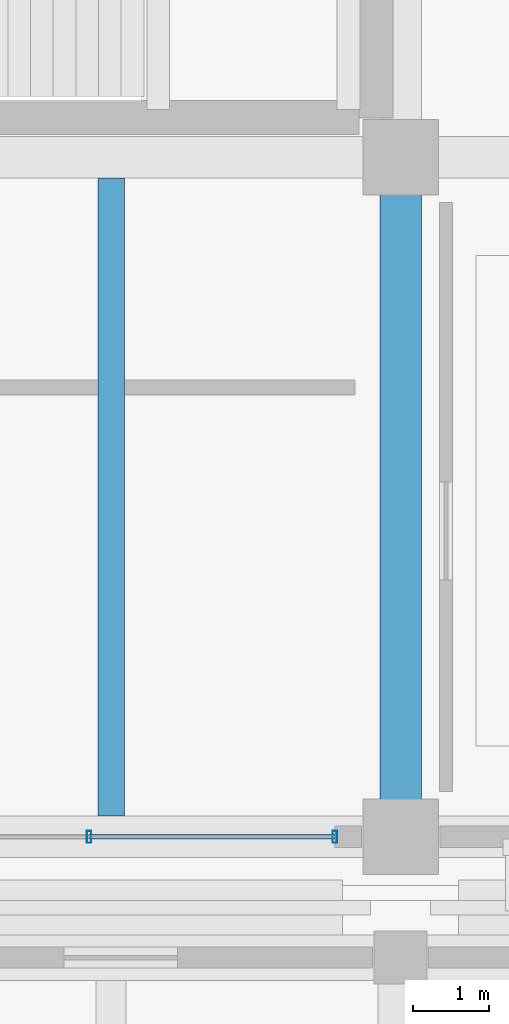
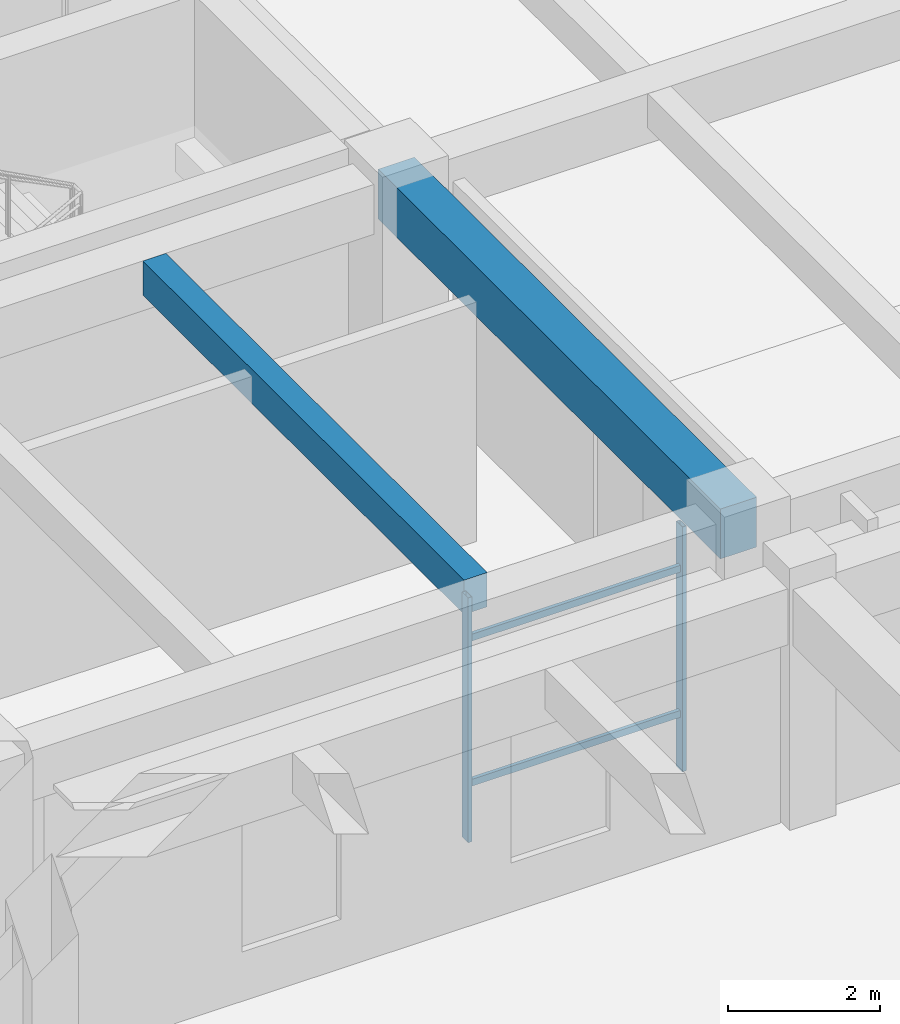
# One storey, part 57 of 98: 4 members, 2 beams, 1 element without a shape of its own.
"""IFC4 building model written with IfcOpenShell, lengths in metres."""

from ifc_helpers import new_model, si_unit, direction, frame, origin, origin_2d, place, context, subcontext, project, spatial, rectangle, hollow_rectangle, extrude, material, material_profile, profile_set, type_object, element, aggregate, save


model = new_model("IFC4")

# Units and contexts
model_context = context("Model", 3, precision=1e-05, world=origin(), true_north=direction((0.0, 1.0)))
body_context = subcontext(model_context, "Body", "Model", "MODEL_VIEW")
ifc_project = project(units=[si_unit("LENGTHUNIT", "METRE"), si_unit("AREAUNIT", "SQUARE_METRE"), si_unit("VOLUMEUNIT", "CUBIC_METRE"), si_unit("PLANEANGLEUNIT", "RADIAN"), si_unit("MASSUNIT", "GRAM", prefix="KILO")], contexts=[model_context])

# Site, building, storey
site_placement = place(None, origin())
site = spatial("IfcSite", under=ifc_project, at=site_placement, CompositionType="ELEMENT")
building_placement = place(site_placement, origin())
building = spatial("IfcBuilding", under=site, at=building_placement, Name="Ologun Quay Terminus", CompositionType="ELEMENT")
storey_placement = place(building_placement, frame((0.0, 0.0, 4.199951171875)))
storey = spatial("IfcBuildingStorey", under=building, at=storey_placement, Name="L01", CompositionType="ELEMENT", Elevation=4.199951171875)

# Curtain wall, members
ifc_material_1 = material(Name="Aluminium 6063-T6", Category="aluminium")
curtain_wall_type = type_object("IfcCurtainWallType", Name="Waterfront Pavilion Harbour Curtain Wall L01 10500x3850", PredefinedType="USERDEFINED", material=ifc_material_1)
curtain_wall_placement = place(storey_placement, origin())
curtain_wall = element("IfcCurtainWall", 1, at=curtain_wall_placement, inside=storey, type_object=curtain_wall_type, Name="CW-23 Curtain Wall CW-L01-125", ObjectType="UNITISED CURTAIN WALL", PredefinedType="USERDEFINED")
ifc_material_2 = material(Name="Aluminium 6063-T6", Category="aluminium")
ifc_material_profile_1 = material_profile(ifc_material_2, hollow_rectangle(XDim=0.06005859375, YDim=0.159912109375, WallThickness=0.00390625, at=origin_2d()), Name="ALU 160x60x4")
ifc_profile_set_1 = profile_set([ifc_material_profile_1], Name="Aluminium 6063-T6")
member_type_1 = type_object("IfcMemberType", Name="Courtyard Screen Mullion 160x65", PredefinedType="MULLION", material=ifc_profile_set_1)
member_1_placement = place(storey_placement, frame((145.376708984375, 85.800048828125, 0.0), z_axis=(0.0, 0.0, 1.0), x_axis=(1.0, 0.0, 0.0)))
member_1 = element("IfcMember", 2, at=member_1_placement, type_object=member_type_1, Name="CW-L01-125 Mullion 3", PredefinedType="MULLION", context=body_context, shape_type="SweptSolid", body=[
    extrude(hollow_rectangle(XDim=0.06005859375, YDim=0.159912109375, WallThickness=0.00390625, at=origin_2d()), origin(), (0.0, 0.0, 1.0), 3.929931640625),
])
member_2_placement = place(storey_placement, frame((148.6298828125, 85.800048828125, 0.0), z_axis=(0.0, 0.0, 1.0), x_axis=(1.0, 0.0, 0.0)))
member_2 = element("IfcMember", 3, at=member_2_placement, type_object=member_type_1, Name="CW-L01-125 Mullion 4", PredefinedType="MULLION", context=body_context, shape_type="SweptSolid", body=[
    extrude(hollow_rectangle(XDim=0.06005859375, YDim=0.159912109375, WallThickness=0.00390625, at=origin_2d()), origin(), (0.0, 0.0, 1.0), 3.929931640625),
])
ifc_material_3 = material(Name="Aluminium 6063-T6", Category="aluminium")
ifc_material_profile_2 = material_profile(ifc_material_3, hollow_rectangle(XDim=0.054931640625, YDim=0.110107421875, WallThickness=0.00390625, at=origin_2d()), Name="ALU 110x55x4")
ifc_profile_set_2 = profile_set([ifc_material_profile_2], Name="Aluminium 6063-T6")
member_type_2 = type_object("IfcMemberType", Name="Courtyard Screen Transom 110x55", PredefinedType="USERDEFINED", material=ifc_profile_set_2)
member_3_placement = place(storey_placement, frame((145.376708984375, 85.800048828125, 0.900146484375), z_axis=(1.0, 0.0, 0.0), x_axis=(0.0, 1.0, 0.0)))
member_3 = element("IfcMember", 4, at=member_3_placement, type_object=member_type_2, Name="CW-L01-125 Transom B3-1", ObjectType="TRANSOM", PredefinedType="USERDEFINED", context=body_context, shape_type="SweptSolid", body=[
    extrude(hollow_rectangle(XDim=0.054931640625, YDim=0.110107421875, WallThickness=0.00390625, at=origin_2d()), origin(), (0.0, 0.0, 1.0), 3.253173828125),
])
member_4_placement = place(storey_placement, frame((145.376708984375, 85.800048828125, 3.22998046875), z_axis=(1.0, 0.0, 0.0), x_axis=(0.0, 1.0, 0.0)))
member_4 = element("IfcMember", 5, at=member_4_placement, type_object=member_type_2, Name="CW-L01-125 Transom B3-2", ObjectType="TRANSOM", PredefinedType="USERDEFINED", context=body_context, shape_type="SweptSolid", body=[
    extrude(hollow_rectangle(XDim=0.054931640625, YDim=0.110107421875, WallThickness=0.00390625, at=origin_2d()), origin(), (0.0, 0.0, 1.0), 3.253173828125),
])
aggregate(curtain_wall, [member_1, member_2, member_3, member_4])

# Beams
ifc_material_4 = material(Name="Concrete C40/50", Category="concrete")
ifc_material_profile_3 = material_profile(ifc_material_4, rectangle(XDim=0.550048828125, YDim=0.800048828125, at=origin_2d()), Name="RC 550x800")
ifc_profile_set_3 = profile_set([ifc_material_profile_3], Name="Concrete C40/50")
beam_type_1 = type_object("IfcBeamType", Name="Courtyard Wing Primary Girder 550x800", PredefinedType="BEAM", material=ifc_profile_set_3)
beam_1_placement = place(storey_placement, frame((149.5, 85.800048828125, 3.550048828125), z_axis=(0.0, 1.0, 0.0), x_axis=(-1.0, 0.0, 0.0)))
element("IfcBeam", 6, at=beam_1_placement, inside=storey, type_object=beam_type_1, Name="B4 Beam 14/G2 L01", PredefinedType="BEAM", context=body_context, shape_type="SweptSolid", body=[
    extrude(rectangle(XDim=0.550048828125, YDim=0.800048828125, at=origin_2d()), origin(), (0.0, 0.0, 1.0), 9.0),
])
ifc_material_5 = material(Name="Concrete C40/50", Category="concrete")
ifc_material_profile_4 = material_profile(ifc_material_5, rectangle(XDim=0.35009765625, YDim=0.550048828125, at=origin_2d()), Name="RC 350x550")
ifc_profile_set_4 = profile_set([ifc_material_profile_4], Name="Concrete C40/50")
beam_type_2 = type_object("IfcBeamType", Name="Courtyard Wing Secondary Joist 350x550", PredefinedType="JOIST", material=ifc_profile_set_4)
beam_2_placement = place(storey_placement, frame((145.666748046875, 86.074951171875, 3.675048828125), z_axis=(0.0, 1.0, 0.0), x_axis=(-1.0, 0.0, 0.0)))
element("IfcBeam", 7, at=beam_2_placement, inside=storey, type_object=beam_type_2, Name="J2 Beam 13/G2 L01", PredefinedType="JOIST", context=body_context, shape_type="SweptSolid", body=[
    extrude(rectangle(XDim=0.35009765625, YDim=0.550048828125, at=origin_2d()), origin(), (0.0, 0.0, 1.0), 8.449951171875),
])

save(model, "model.ifc")
